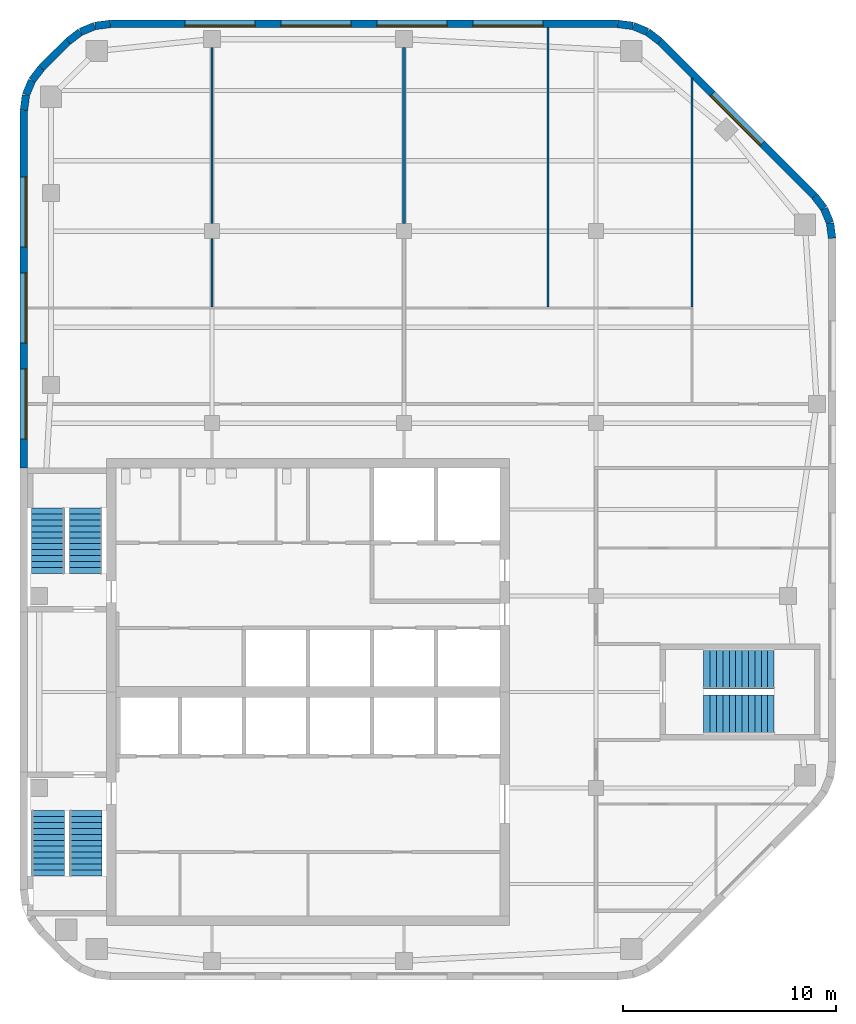
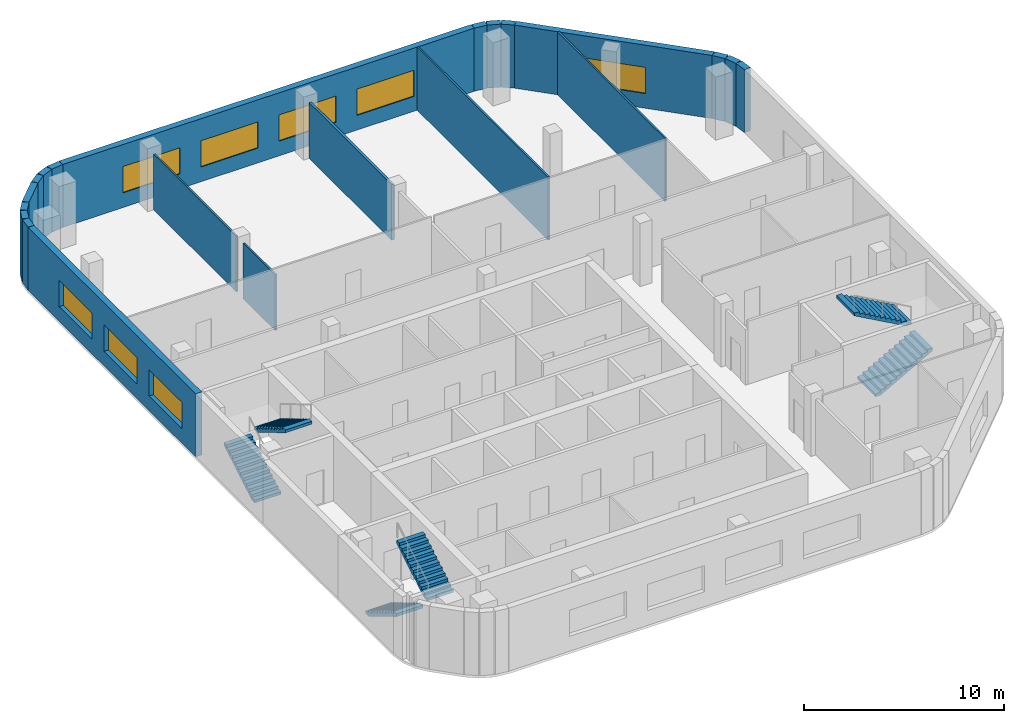
# One storey, part 5 of 7: 21 walls, 8 windows, 6 stair flights, 8 openings, 3 elements without a shape of their own.
"""IFC4 building model written with IfcOpenShell, lengths in metres."""

from ifc_helpers import new_model, si_unit, direction, frame, frame_2d, origin, place, context, subcontext, project, spatial, polyline, rectangle, outline, extrude, material, layer, layer_set, type_object, element, fill, aggregate, save


model = new_model("IFC4")

# Units and contexts
model_context = context("Model", 3, precision=1e-05, world=origin(), true_north=direction((0.0, 1.0)))
body_context = subcontext(model_context, "Body", "Model", "MODEL_VIEW")
ifc_project = project(units=[si_unit("LENGTHUNIT", "METRE"), si_unit("AREAUNIT", "SQUARE_METRE"), si_unit("VOLUMEUNIT", "CUBIC_METRE"), si_unit("PLANEANGLEUNIT", "RADIAN"), si_unit("MASSUNIT", "GRAM", prefix="KILO")], contexts=[model_context])

# Site, building, storey
site_placement = place(None, origin())
site = spatial("IfcSite", under=ifc_project, at=site_placement, CompositionType="ELEMENT")
building_placement = place(site_placement, origin())
building = spatial("IfcBuilding", under=site, at=building_placement, Name="Cinnabar Reach Civic Tower", CompositionType="ELEMENT")
storey_placement = place(building_placement, frame((0.0, 0.0, 267.0)))
storey = spatial("IfcBuildingStorey", under=building, at=storey_placement, Name="L64", CompositionType="ELEMENT", Elevation=267.0)

# Walls
ifc_material_1 = material(Name="Facing brick with insulated backing", Category="masonry")
ifc_layer_1 = layer(ifc_material_1, 0.36)
ifc_layer_set_1 = layer_set([ifc_layer_1], Name="Brick corner wall")
wall_type_1 = type_object("IfcWallType", Name="Brick corner wall", PredefinedType="STANDARD", material=ifc_layer_set_1)
for number, where, z_axis, x_axis, name in (
    (1, (38.067, 52.7686, 0.0), (0.0, 0.0, 1.0), (-0.13055608231, 0.99144092581, 0.0), "Brick corner wall"),
    (2, (37.9681, 53.4973, 0.0), (0.0, 0.0, 1.0), (-0.382702709855, 0.923871547278, 0.0), "Brick corner wall"),
):
    element("IfcWall", number, at=place(storey_placement, frame(where, z_axis=z_axis, x_axis=x_axis)), inside=storey, type_object=wall_type_1, Name=name, PredefinedType="STANDARD", context=body_context, shape_type="SweptSolid", body=[
        extrude(rectangle(XDim=0.7131, YDim=0.36, at=frame_2d((0.3565, 0.0))), origin(), (0.0, 0.0, 1.0), 3.85),
    ])
for number, where, z_axis, x_axis, name in (
    (3, (37.684, 54.1755, 0.0), (0.0, 0.0, 1.0), (-0.608802368033, 0.793321924995, 0.0), "Brick corner wall"),
    (4, (29.9913, 61.9998, 0.0), (0.0, 0.0, 1.0), (-0.793321924995, 0.608802368033, 0.0), "Brick corner wall"),
):
    element("IfcWall", number, at=place(storey_placement, frame(where, z_axis=z_axis, x_axis=x_axis)), inside=storey, type_object=wall_type_1, Name=name, PredefinedType="STANDARD", context=body_context, shape_type="SweptSolid", body=[
        extrude(rectangle(XDim=0.7132, YDim=0.36, at=frame_2d((0.3566, 0.0))), origin(), (0.0, 0.0, 1.0), 3.85),
    ])
for number, where, z_axis, x_axis, name in (
    (5, (29.4061, 62.4452, 0.0), (0.0, 0.0, 1.0), (-0.923871547278, 0.382702709855, 0.0), "Brick corner wall"),
    (6, (28.7256, 62.7239, 0.0), (0.0, 0.0, 1.0), (-0.99144092581, 0.13055608231, 0.0), "Brick corner wall"),
    (7, (4.2314, 62.817, 0.0), (0.0, 0.0, 1.0), (-0.99144092581, -0.13055608231, 0.0), "Brick corner wall"),
    (8, (3.5027, 62.7181, 0.0), (0.0, 0.0, 1.0), (-0.923871547278, -0.382702709855, 0.0), "Brick corner wall"),
):
    element("IfcWall", number, at=place(storey_placement, frame(where, z_axis=z_axis, x_axis=x_axis)), inside=storey, type_object=wall_type_1, Name=name, PredefinedType="STANDARD", context=body_context, shape_type="SweptSolid", body=[
        extrude(rectangle(XDim=0.7131, YDim=0.36, at=frame_2d((0.3565, 0.0))), origin(), (0.0, 0.0, 1.0), 3.85),
    ])
for number, where, z_axis, x_axis, name in (
    (9, (2.8245, 62.434, 0.0), (0.0, 0.0, 1.0), (-0.793321924995, -0.608802368033, 0.0), "Brick corner wall"),
    (10, (1.0002, 60.7413, 0.0), (0.0, 0.0, 1.0), (-0.608802368033, -0.793321924995, 0.0), "Brick corner wall"),
):
    element("IfcWall", number, at=place(storey_placement, frame(where, z_axis=z_axis, x_axis=x_axis)), inside=storey, type_object=wall_type_1, Name=name, PredefinedType="STANDARD", context=body_context, shape_type="SweptSolid", body=[
        extrude(rectangle(XDim=0.7132, YDim=0.36, at=frame_2d((0.3566, 0.0))), origin(), (0.0, 0.0, 1.0), 3.85),
    ])
for number, where, z_axis, x_axis, name in (
    (11, (0.5548, 60.1561, 0.0), (0.0, 0.0, 1.0), (-0.382702709855, -0.923871547278, 0.0), "Brick corner wall"),
    (12, (0.2761, 59.4756, 0.0), (0.0, 0.0, 1.0), (-0.13055608231, -0.99144092581, 0.0), "Brick corner wall"),
):
    element("IfcWall", number, at=place(storey_placement, frame(where, z_axis=z_axis, x_axis=x_axis)), inside=storey, type_object=wall_type_1, Name=name, PredefinedType="STANDARD", context=body_context, shape_type="SweptSolid", body=[
        extrude(rectangle(XDim=0.7131, YDim=0.36, at=frame_2d((0.3565, 0.0))), origin(), (0.0, 0.0, 1.0), 3.85),
    ])

# Wall, opening, window
ifc_layer_2 = layer(ifc_material_1, 0.36)
ifc_layer_set_2 = layer_set([ifc_layer_2], Name="Brick pier and spandrel wall")
wall_type_2 = type_object("IfcWallType", Name="Brick pier and spandrel wall", PredefinedType="STANDARD", material=ifc_layer_set_2)
wall_1_placement = place(storey_placement, frame((37.244, 54.7514, 0.0), z_axis=(0.0, 0.0, 1.0), x_axis=(-0.707106781187, 0.707106781187, 0.0)))
wall_1 = element("IfcWall", 13, at=wall_1_placement, inside=storey, type_object=wall_type_2, Name="Brick facade wall", PredefinedType="STANDARD", context=body_context, shape_type="SweptSolid", body=[
    extrude(rectangle(XDim=10.2426, YDim=0.36, at=frame_2d((5.1213, 0.0))), origin(), (0.0, 0.0, 1.0), 3.85),
])
opening_1_placement = place(wall_1_placement, frame((3.4713, 0.0, 0.9)))
opening_1 = element("IfcOpeningElement", 14, at=opening_1_placement, cuts=wall_1, Name="Opening W2271", PredefinedType="OPENING", context=body_context, shape_type="SweptSolid", body=[
    extrude(rectangle(XDim=3.3, YDim=1.6, at=frame_2d((1.65, 0.8))), frame((0.0, 0.19, 0.0), z_axis=(0.0, -1.0, 0.0), x_axis=(1.0, 0.0, 0.0)), (0.0, 0.0, 1.0), 0.38),
])
ifc_material_2 = material(Name="Clear double glazing in aluminium frame", Category="aluminium")
window_type = type_object("IfcWindowType", Name="Deep-set window A", PartitioningType="SINGLE_PANEL", PredefinedType="WINDOW", material=ifc_material_2)
window_1_placement = place(opening_1_placement, origin())
window_1 = element("IfcWindow", 15, at=window_1_placement, inside=storey, type_object=window_type, Name="Window northeast face", OverallHeight=1.6, OverallWidth=3.3, PartitioningType="SINGLE_PANEL", PredefinedType="WINDOW", context=body_context, shape_type="SweptSolid", body=[
    extrude(rectangle(XDim=3.3, YDim=1.6, at=frame_2d((1.65, 0.8))), frame((0.0, 0.13, 0.0), z_axis=(0.0, -1.0, 0.0), x_axis=(1.0, 0.0, 0.0)), (0.0, 0.0, 1.0), 0.06),
])
fill(opening_1, window_1)

# Wall, openings, windows
wall_2_placement = place(storey_placement, frame((28.0074, 62.82, 0.0), z_axis=(0.0, 0.0, 1.0), x_axis=(-1.0, 0.0, 0.0)))
wall_2 = element("IfcWall", 16, at=wall_2_placement, inside=storey, type_object=wall_type_2, Name="Brick facade wall", PredefinedType="STANDARD", context=body_context, shape_type="SweptSolid", body=[
    extrude(rectangle(XDim=23.7648, YDim=0.36, at=frame_2d((11.8824, 0.0))), origin(), (0.0, 0.0, 1.0), 3.85),
])
opening_2_placement = place(wall_2_placement, frame((3.4824, 0.0, 0.9)))
opening_2 = element("IfcOpeningElement", 17, at=opening_2_placement, cuts=wall_2, Name="Opening W2272", PredefinedType="OPENING", context=body_context, shape_type="SweptSolid", body=[
    extrude(rectangle(XDim=3.3, YDim=1.6, at=frame_2d((1.65, 0.8))), frame((0.0, 0.19, 0.0), z_axis=(0.0, -1.0, 0.0), x_axis=(1.0, 0.0, 0.0)), (0.0, 0.0, 1.0), 0.38),
])
opening_3_placement = place(wall_2_placement, frame((7.9824, 0.0, 0.9)))
opening_3 = element("IfcOpeningElement", 18, at=opening_3_placement, cuts=wall_2, Name="Opening W2273", PredefinedType="OPENING", context=body_context, shape_type="SweptSolid", body=[
    extrude(rectangle(XDim=3.3, YDim=1.6, at=frame_2d((1.65, 0.8))), frame((0.0, 0.19, 0.0), z_axis=(0.0, -1.0, 0.0), x_axis=(1.0, 0.0, 0.0)), (0.0, 0.0, 1.0), 0.38),
])
opening_4_placement = place(wall_2_placement, frame((12.4824, 0.0, 0.9)))
opening_4 = element("IfcOpeningElement", 19, at=opening_4_placement, cuts=wall_2, Name="Opening W2274", PredefinedType="OPENING", context=body_context, shape_type="SweptSolid", body=[
    extrude(rectangle(XDim=3.3, YDim=1.6, at=frame_2d((1.65, 0.8))), frame((0.0, 0.19, 0.0), z_axis=(0.0, -1.0, 0.0), x_axis=(1.0, 0.0, 0.0)), (0.0, 0.0, 1.0), 0.38),
])
opening_5_placement = place(wall_2_placement, frame((16.9824, 0.0, 0.9)))
opening_5 = element("IfcOpeningElement", 20, at=opening_5_placement, cuts=wall_2, Name="Opening W2275", PredefinedType="OPENING", context=body_context, shape_type="SweptSolid", body=[
    extrude(rectangle(XDim=3.3, YDim=1.6, at=frame_2d((1.65, 0.8))), frame((0.0, 0.19, 0.0), z_axis=(0.0, -1.0, 0.0), x_axis=(1.0, 0.0, 0.0)), (0.0, 0.0, 1.0), 0.38),
])
window_2_placement = place(opening_2_placement, origin())
window_2 = element("IfcWindow", 21, at=window_2_placement, inside=storey, type_object=window_type, Name="Window north face", OverallHeight=1.6, OverallWidth=3.3, PartitioningType="SINGLE_PANEL", PredefinedType="WINDOW", context=body_context, shape_type="SweptSolid", body=[
    extrude(rectangle(XDim=3.3, YDim=1.6, at=frame_2d((1.65, 0.8))), frame((0.0, 0.13, 0.0), z_axis=(0.0, -1.0, 0.0), x_axis=(1.0, 0.0, 0.0)), (0.0, 0.0, 1.0), 0.06),
])
fill(opening_2, window_2)
window_3_placement = place(opening_3_placement, origin())
window_3 = element("IfcWindow", 22, at=window_3_placement, inside=storey, type_object=window_type, Name="Window north face", OverallHeight=1.6, OverallWidth=3.3, PartitioningType="SINGLE_PANEL", PredefinedType="WINDOW", context=body_context, shape_type="SweptSolid", body=[
    extrude(rectangle(XDim=3.3, YDim=1.6, at=frame_2d((1.65, 0.8))), frame((0.0, 0.13, 0.0), z_axis=(0.0, -1.0, 0.0), x_axis=(1.0, 0.0, 0.0)), (0.0, 0.0, 1.0), 0.06),
])
fill(opening_3, window_3)
window_4_placement = place(opening_4_placement, origin())
window_4 = element("IfcWindow", 23, at=window_4_placement, inside=storey, type_object=window_type, Name="Window north face", OverallHeight=1.6, OverallWidth=3.3, PartitioningType="SINGLE_PANEL", PredefinedType="WINDOW", context=body_context, shape_type="SweptSolid", body=[
    extrude(rectangle(XDim=3.3, YDim=1.6, at=frame_2d((1.65, 0.8))), frame((0.0, 0.13, 0.0), z_axis=(0.0, -1.0, 0.0), x_axis=(1.0, 0.0, 0.0)), (0.0, 0.0, 1.0), 0.06),
])
fill(opening_4, window_4)
window_5_placement = place(opening_5_placement, origin())
window_5 = element("IfcWindow", 24, at=window_5_placement, inside=storey, type_object=window_type, Name="Window north face", OverallHeight=1.6, OverallWidth=3.3, PartitioningType="SINGLE_PANEL", PredefinedType="WINDOW", context=body_context, shape_type="SweptSolid", body=[
    extrude(rectangle(XDim=3.3, YDim=1.6, at=frame_2d((1.65, 0.8))), frame((0.0, 0.13, 0.0), z_axis=(0.0, -1.0, 0.0), x_axis=(1.0, 0.0, 0.0)), (0.0, 0.0, 1.0), 0.06),
])
fill(opening_5, window_5)

# Wall
wall_3_placement = place(storey_placement, frame((2.2486, 61.994, 0.0), z_axis=(0.0, 0.0, 1.0), x_axis=(-0.707106781187, -0.707106781187, 0.0)))
element("IfcWall", 25, at=wall_3_placement, inside=storey, type_object=wall_type_2, Name="Brick facade wall", PredefinedType="STANDARD", context=body_context, shape_type="SweptSolid", body=[
    extrude(rectangle(XDim=1.7573, YDim=0.36, at=frame_2d((0.8787, 0.0))), origin(), (0.0, 0.0, 1.0), 3.85),
])

# Wall, openings, windows
wall_4_placement = place(storey_placement, frame((0.18, 58.7574, 0.0), z_axis=(0.0, 0.0, 1.0), x_axis=(0.0, -1.0, 0.0)))
wall_4 = element("IfcWall", 26, at=wall_4_placement, inside=storey, type_object=wall_type_2, Name="Brick facade wall", PredefinedType="STANDARD", context=body_context, shape_type="SweptSolid", body=[
    extrude(rectangle(XDim=16.7574, YDim=0.36, at=frame_2d((8.3787, 0.0))), origin(), (0.0, 0.0, 1.0), 3.85),
])
opening_6_placement = place(wall_4_placement, frame((3.1074, 0.0, 0.9)))
opening_6 = element("IfcOpeningElement", 27, at=opening_6_placement, cuts=wall_4, Name="Opening W2276", PredefinedType="OPENING", context=body_context, shape_type="SweptSolid", body=[
    extrude(rectangle(XDim=3.3, YDim=1.6, at=frame_2d((1.65, 0.8))), frame((0.0, 0.19, 0.0), z_axis=(0.0, -1.0, 0.0), x_axis=(1.0, 0.0, 0.0)), (0.0, 0.0, 1.0), 0.38),
])
opening_7_placement = place(wall_4_placement, frame((7.6074, 0.0, 0.9)))
opening_7 = element("IfcOpeningElement", 28, at=opening_7_placement, cuts=wall_4, Name="Opening W2277", PredefinedType="OPENING", context=body_context, shape_type="SweptSolid", body=[
    extrude(rectangle(XDim=3.3, YDim=1.6, at=frame_2d((1.65, 0.8))), frame((0.0, 0.19, 0.0), z_axis=(0.0, -1.0, 0.0), x_axis=(1.0, 0.0, 0.0)), (0.0, 0.0, 1.0), 0.38),
])
opening_8_placement = place(wall_4_placement, frame((12.1074, 0.0, 0.9)))
opening_8 = element("IfcOpeningElement", 29, at=opening_8_placement, cuts=wall_4, Name="Opening W2278", PredefinedType="OPENING", context=body_context, shape_type="SweptSolid", body=[
    extrude(rectangle(XDim=3.3, YDim=1.6, at=frame_2d((1.65, 0.8))), frame((0.0, 0.19, 0.0), z_axis=(0.0, -1.0, 0.0), x_axis=(1.0, 0.0, 0.0)), (0.0, 0.0, 1.0), 0.38),
])
window_6_placement = place(opening_6_placement, origin())
window_6 = element("IfcWindow", 30, at=window_6_placement, inside=storey, type_object=window_type, Name="Window west face", OverallHeight=1.6, OverallWidth=3.3, PartitioningType="SINGLE_PANEL", PredefinedType="WINDOW", context=body_context, shape_type="SweptSolid", body=[
    extrude(rectangle(XDim=3.3, YDim=1.6, at=frame_2d((1.65, 0.8))), frame((0.0, 0.13, 0.0), z_axis=(0.0, -1.0, 0.0), x_axis=(1.0, 0.0, 0.0)), (0.0, 0.0, 1.0), 0.06),
])
fill(opening_6, window_6)
window_7_placement = place(opening_7_placement, origin())
window_7 = element("IfcWindow", 31, at=window_7_placement, inside=storey, type_object=window_type, Name="Window west face", OverallHeight=1.6, OverallWidth=3.3, PartitioningType="SINGLE_PANEL", PredefinedType="WINDOW", context=body_context, shape_type="SweptSolid", body=[
    extrude(rectangle(XDim=3.3, YDim=1.6, at=frame_2d((1.65, 0.8))), frame((0.0, 0.13, 0.0), z_axis=(0.0, -1.0, 0.0), x_axis=(1.0, 0.0, 0.0)), (0.0, 0.0, 1.0), 0.06),
])
fill(opening_7, window_7)
window_8_placement = place(opening_8_placement, origin())
window_8 = element("IfcWindow", 32, at=window_8_placement, inside=storey, type_object=window_type, Name="Window west face", OverallHeight=1.6, OverallWidth=3.3, PartitioningType="SINGLE_PANEL", PredefinedType="WINDOW", context=body_context, shape_type="SweptSolid", body=[
    extrude(rectangle(XDim=3.3, YDim=1.6, at=frame_2d((1.65, 0.8))), frame((0.0, 0.13, 0.0), z_axis=(0.0, -1.0, 0.0), x_axis=(1.0, 0.0, 0.0)), (0.0, 0.0, 1.0), 0.06),
])
fill(opening_8, window_8)

# Walls
ifc_material_3 = material(Name="Gypsum board on steel studs", Category="steel")
ifc_layer_3 = layer(ifc_material_3, 0.1)
ifc_layer_set_3 = layer_set([ifc_layer_3], Name="Partition wall 100 T1")
wall_type_3 = type_object("IfcWallType", Name="Partition wall 100 T1", PredefinedType="PARTITIONING", material=ifc_layer_set_3)
wall_5_placement = place(storey_placement, frame((31.5, 49.55, 0.0), z_axis=(0.0, 0.0, 1.0), x_axis=(0.0, 1.0, 0.0)))
element("IfcWall", 33, at=wall_5_placement, inside=storey, type_object=wall_type_3, Name="Partition wall 40", PredefinedType="PARTITIONING", context=body_context, shape_type="SweptSolid", body=[
    extrude(rectangle(XDim=10.7409, YDim=0.1, at=frame_2d((5.3704, 0.0))), origin(), (0.0, 0.0, 1.0), 3.85),
])
wall_6_placement = place(storey_placement, frame((9.0, 49.55, 0.0), z_axis=(0.0, 0.0, 1.0), x_axis=(0.0, 1.0, 0.0)))
element("IfcWall", 34, at=wall_6_placement, inside=storey, type_object=wall_type_3, Name="Partition wall 41", PredefinedType="PARTITIONING", context=body_context, shape_type="SweptSolid", body=[
    extrude(rectangle(XDim=3.2, YDim=0.1, at=frame_2d((1.6, 0.0))), origin(), (0.0, 0.0, 1.0), 3.4),
])
wall_7_placement = place(storey_placement, frame((9.0, 53.45, 0.0), z_axis=(0.0, 0.0, 1.0), x_axis=(0.0, 1.0, 0.0)))
element("IfcWall", 35, at=wall_7_placement, inside=storey, type_object=wall_type_3, Name="Partition wall 42", PredefinedType="PARTITIONING", context=body_context, shape_type="SweptSolid", body=[
    extrude(rectangle(XDim=8.25, YDim=0.1, at=frame_2d((4.125, 0.0))), origin(), (0.0, 0.0, 1.0), 3.4),
])
wall_8_placement = place(storey_placement, frame((24.75, 49.55, 0.0), z_axis=(0.0, 0.0, 1.0), x_axis=(0.0, 1.0, 0.0)))
element("IfcWall", 36, at=wall_8_placement, inside=storey, type_object=wall_type_3, Name="Partition wall 43", PredefinedType="PARTITIONING", context=body_context, shape_type="SweptSolid", body=[
    extrude(rectangle(XDim=13.09, YDim=0.1, at=frame_2d((6.545, 0.0))), origin(), (0.0, 0.0, 1.0), 3.85),
])
ifc_material_4 = material(Name="Gypsum board on steel studs, double layer", Category="steel")
ifc_layer_4 = layer(ifc_material_4, 0.15)
ifc_layer_set_4 = layer_set([ifc_layer_4], Name="Tenancy separating wall 150 T1")
wall_type_4 = type_object("IfcWallType", Name="Tenancy separating wall 150 T1", PredefinedType="PARTITIONING", material=ifc_layer_set_4)
wall_9_placement = place(storey_placement, frame((18.0, 53.45, 0.0), z_axis=(0.0, 0.0, 1.0), x_axis=(0.0, 1.0, 0.0)))
element("IfcWall", 37, at=wall_9_placement, inside=storey, type_object=wall_type_4, Name="Tenancy separating wall 35", PredefinedType="PARTITIONING", context=body_context, shape_type="SweptSolid", body=[
    extrude(rectangle(XDim=8.25, YDim=0.15, at=frame_2d((4.125, 0.0))), origin(), (0.0, 0.0, 1.0), 3.4),
])

# Stair, stair flights
ifc_material_5 = material(Name="Concrete C40/50", Category="concrete")
stair_type = type_object("IfcStairType", Name="T1 Exit stair, half-turn", PredefinedType="HALF_TURN_STAIR", material=ifc_material_5)
stair_1_placement = place(storey_placement, origin())
stair_1 = element("IfcStair", 38, at=stair_1_placement, inside=storey, type_object=stair_type, Name="Stair T1-S1", PredefinedType="HALF_TURN_STAIR")
stair_flight_type = type_object("IfcStairFlightType", Name="T1 Stair flight, concrete", PredefinedType="STRAIGHT", material=ifc_material_5)
stair_flight_1_placement = place(storey_placement, frame((1.3125, 25.95, 0.0), z_axis=(0.0, 0.0, 1.0), x_axis=(0.0, -1.0, 0.0)))
stair_flight_1 = element("IfcStairFlight", 39, at=stair_flight_1_placement, type_object=stair_flight_type, Name="T1-S1 flight 1", NumberOfRisers=12, NumberOfTreads=11, PredefinedType="STRAIGHT", RiserHeight=0.166666667, TreadLength=0.28, context=body_context, shape_type="SweptSolid", body=[
    extrude(outline(polyline([(0.0, 0.0), (0.0, 0.1667), (0.28, 0.1667), (0.28, 0.3333), (0.56, 0.3333), (0.56, 0.5), (0.84, 0.5), (0.84, 0.6667), (1.12, 0.6667), (1.12, 0.8333), (1.4, 0.8333), (1.4, 1.0), (1.68, 1.0), (1.68, 1.1667), (1.96, 1.1667), (1.96, 1.3333), (2.24, 1.3333), (2.24, 1.5), (2.52, 1.5), (2.52, 1.6667), (2.8, 1.6667), (2.8, 1.8333), (3.08, 1.8333), (3.08, 2.0), (3.08, 1.6588), (0.2933, 0.0), (0.0, 0.0)])), frame((0.0, 0.7625, 0.0), z_axis=(0.0, -1.0, 0.0), x_axis=(1.0, 0.0, 0.0)), (0.0, 0.0, 1.0), 1.525),
])
stair_flight_2_placement = place(storey_placement, frame((3.0875, 22.87, 2.0), z_axis=(0.0, 0.0, 1.0), x_axis=(0.0, 1.0, 0.0)))
stair_flight_2 = element("IfcStairFlight", 40, at=stair_flight_2_placement, type_object=stair_flight_type, Name="T1-S1 flight 2", NumberOfRisers=12, NumberOfTreads=11, PredefinedType="STRAIGHT", RiserHeight=0.166666667, TreadLength=0.28, context=body_context, shape_type="SweptSolid", body=[
    extrude(outline(polyline([(0.0, 0.0), (0.0, 0.1667), (0.28, 0.1667), (0.28, 0.3333), (0.56, 0.3333), (0.56, 0.5), (0.84, 0.5), (0.84, 0.6667), (1.12, 0.6667), (1.12, 0.8333), (1.4, 0.8333), (1.4, 1.0), (1.68, 1.0), (1.68, 1.1667), (1.96, 1.1667), (1.96, 1.3333), (2.24, 1.3333), (2.24, 1.5), (2.52, 1.5), (2.52, 1.6667), (2.8, 1.6667), (2.8, 1.8333), (3.08, 1.8333), (3.08, 2.0), (3.08, 1.6588), (0.2933, 0.0), (0.0, 0.0)])), frame((0.0, 0.7625, 0.0), z_axis=(0.0, -1.0, 0.0), x_axis=(1.0, 0.0, 0.0)), (0.0, 0.0, 1.0), 1.525),
])
aggregate(stair_1, [stair_flight_1, stair_flight_2])

stair_2_placement = place(storey_placement, origin())
stair_2 = element("IfcStair", 41, at=stair_2_placement, inside=storey, type_object=stair_type, Name="Stair T1-S2", PredefinedType="HALF_TURN_STAIR")
stair_flight_3_placement = place(storey_placement, frame((1.3125, 37.05, 0.0), z_axis=(0.0, 0.0, 1.0), x_axis=(0.0, 1.0, 0.0)))
stair_flight_3 = element("IfcStairFlight", 42, at=stair_flight_3_placement, type_object=stair_flight_type, Name="T1-S2 flight 1", NumberOfRisers=12, NumberOfTreads=11, PredefinedType="STRAIGHT", RiserHeight=0.166666667, TreadLength=0.28, context=body_context, shape_type="SweptSolid", body=[
    extrude(outline(polyline([(0.0, 0.0), (0.0, 0.1667), (0.28, 0.1667), (0.28, 0.3333), (0.56, 0.3333), (0.56, 0.5), (0.84, 0.5), (0.84, 0.6667), (1.12, 0.6667), (1.12, 0.8333), (1.4, 0.8333), (1.4, 1.0), (1.68, 1.0), (1.68, 1.1667), (1.96, 1.1667), (1.96, 1.3333), (2.24, 1.3333), (2.24, 1.5), (2.52, 1.5), (2.52, 1.6667), (2.8, 1.6667), (2.8, 1.8333), (3.08, 1.8333), (3.08, 2.0), (3.08, 1.6588), (0.2933, 0.0), (0.0, 0.0)])), frame((0.0, 0.7625, 0.0), z_axis=(0.0, -1.0, 0.0), x_axis=(1.0, 0.0, 0.0)), (0.0, 0.0, 1.0), 1.525),
])
stair_flight_4_placement = place(storey_placement, frame((3.0875, 40.13, 2.0), z_axis=(0.0, 0.0, 1.0), x_axis=(0.0, -1.0, 0.0)))
stair_flight_4 = element("IfcStairFlight", 43, at=stair_flight_4_placement, type_object=stair_flight_type, Name="T1-S2 flight 2", NumberOfRisers=12, NumberOfTreads=11, PredefinedType="STRAIGHT", RiserHeight=0.166666667, TreadLength=0.28, context=body_context, shape_type="SweptSolid", body=[
    extrude(outline(polyline([(0.0, 0.0), (0.0, 0.1667), (0.28, 0.1667), (0.28, 0.3333), (0.56, 0.3333), (0.56, 0.5), (0.84, 0.5), (0.84, 0.6667), (1.12, 0.6667), (1.12, 0.8333), (1.4, 0.8333), (1.4, 1.0), (1.68, 1.0), (1.68, 1.1667), (1.96, 1.1667), (1.96, 1.3333), (2.24, 1.3333), (2.24, 1.5), (2.52, 1.5), (2.52, 1.6667), (2.8, 1.6667), (2.8, 1.8333), (3.08, 1.8333), (3.08, 2.0), (3.08, 1.6588), (0.2933, 0.0), (0.0, 0.0)])), frame((0.0, 0.7625, 0.0), z_axis=(0.0, -1.0, 0.0), x_axis=(1.0, 0.0, 0.0)), (0.0, 0.0, 1.0), 1.525),
])
aggregate(stair_2, [stair_flight_3, stair_flight_4])

stair_3_placement = place(storey_placement, origin())
stair_3 = element("IfcStair", 44, at=stair_3_placement, inside=storey, type_object=stair_type, Name="Stair T1-S3", PredefinedType="HALF_TURN_STAIR")
stair_flight_5_placement = place(storey_placement, frame((32.05, 30.45, 0.0), z_axis=(0.0, 0.0, 1.0), x_axis=(1.0, 0.0, 0.0)))
stair_flight_5 = element("IfcStairFlight", 45, at=stair_flight_5_placement, type_object=stair_flight_type, Name="T1-S3 flight 1", NumberOfRisers=12, NumberOfTreads=11, PredefinedType="STRAIGHT", RiserHeight=0.166666667, TreadLength=0.3, context=body_context, shape_type="SweptSolid", body=[
    extrude(outline(polyline([(0.0, 0.0), (0.0, 0.1667), (0.3, 0.1667), (0.3, 0.3333), (0.6, 0.3333), (0.6, 0.5), (0.9, 0.5), (0.9, 0.6667), (1.2, 0.6667), (1.2, 0.8333), (1.5, 0.8333), (1.5, 1.0), (1.8, 1.0), (1.8, 1.1667), (2.1, 1.1667), (2.1, 1.3333), (2.4, 1.3333), (2.4, 1.5), (2.7, 1.5), (2.7, 1.6667), (3.0, 1.6667), (3.0, 1.8333), (3.3, 1.8333), (3.3, 2.0), (3.3, 1.6617), (0.3089, 0.0), (0.0, 0.0)])), frame((0.0, 0.9, 0.0), z_axis=(0.0, -1.0, 0.0), x_axis=(1.0, 0.0, 0.0)), (0.0, 0.0, 1.0), 1.8),
])
stair_flight_6_placement = place(storey_placement, frame((35.35, 32.55, 2.0), z_axis=(0.0, 0.0, 1.0), x_axis=(-1.0, 0.0, 0.0)))
stair_flight_6 = element("IfcStairFlight", 46, at=stair_flight_6_placement, type_object=stair_flight_type, Name="T1-S3 flight 2", NumberOfRisers=12, NumberOfTreads=11, PredefinedType="STRAIGHT", RiserHeight=0.166666667, TreadLength=0.3, context=body_context, shape_type="SweptSolid", body=[
    extrude(outline(polyline([(0.0, 0.0), (0.0, 0.1667), (0.3, 0.1667), (0.3, 0.3333), (0.6, 0.3333), (0.6, 0.5), (0.9, 0.5), (0.9, 0.6667), (1.2, 0.6667), (1.2, 0.8333), (1.5, 0.8333), (1.5, 1.0), (1.8, 1.0), (1.8, 1.1667), (2.1, 1.1667), (2.1, 1.3333), (2.4, 1.3333), (2.4, 1.5), (2.7, 1.5), (2.7, 1.6667), (3.0, 1.6667), (3.0, 1.8333), (3.3, 1.8333), (3.3, 2.0), (3.3, 1.6617), (0.3089, 0.0), (0.0, 0.0)])), frame((0.0, 0.9, 0.0), z_axis=(0.0, -1.0, 0.0), x_axis=(1.0, 0.0, 0.0)), (0.0, 0.0, 1.0), 1.8),
])
aggregate(stair_3, [stair_flight_5, stair_flight_6])

save(model, "model.ifc")
